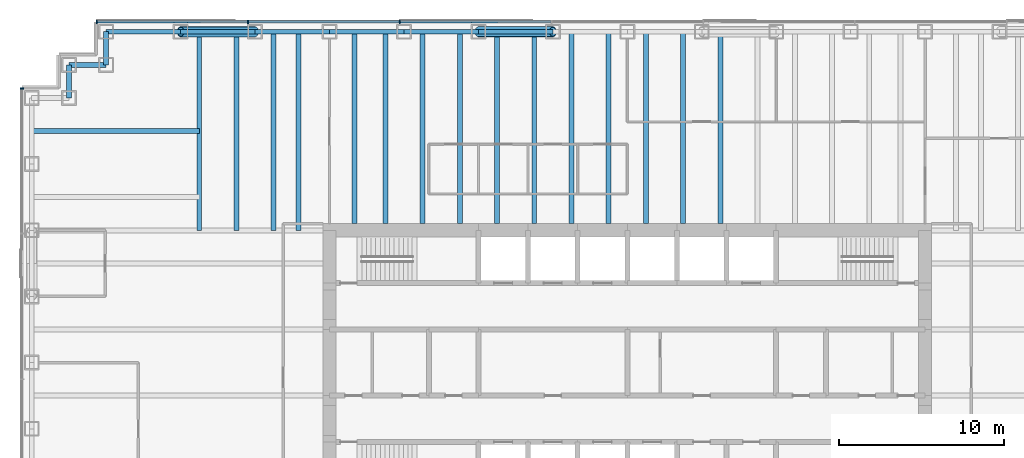
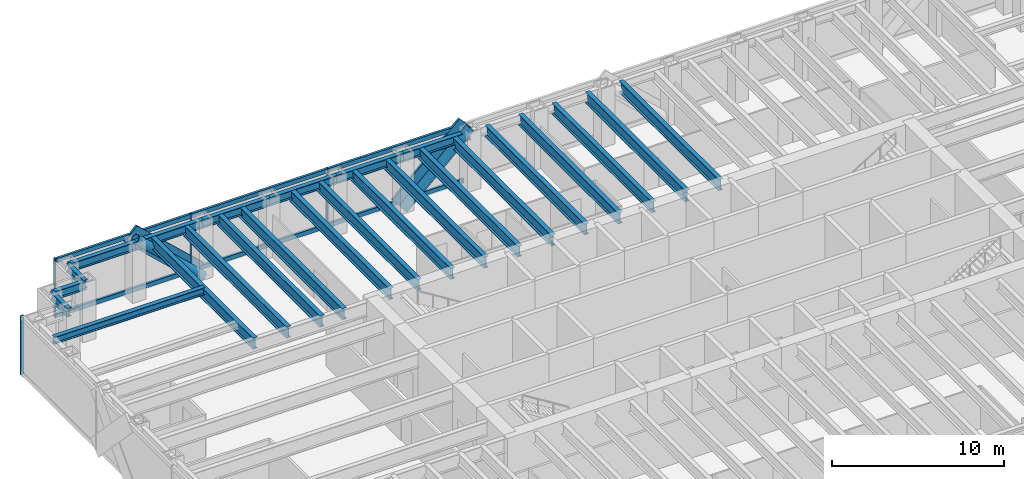
# One storey, part 6 of 19: 25 beams, 14 members, 2 elements without a shape of their own.
"""IFC4 building model written with IfcOpenShell, lengths in metres."""

from ifc_helpers import new_model, si_unit, direction, frame, origin, origin_2d, place, context, subcontext, project, spatial, rectangle, hollow_circle, i_section, extrude, material, material_profile, profile_set, type_object, element, aggregate, save


model = new_model("IFC4")

# Units and contexts
model_context = context("Model", 3, precision=1e-05, world=origin(), true_north=direction((0.0, 1.0)))
body_context = subcontext(model_context, "Body", "Model", "MODEL_VIEW")
ifc_project = project(units=[si_unit("LENGTHUNIT", "METRE"), si_unit("AREAUNIT", "SQUARE_METRE"), si_unit("VOLUMEUNIT", "CUBIC_METRE"), si_unit("PLANEANGLEUNIT", "RADIAN"), si_unit("MASSUNIT", "GRAM", prefix="KILO")], contexts=[model_context])

# Site, building, storey
site_placement = place(None, origin())
site = spatial("IfcSite", under=ifc_project, at=site_placement, CompositionType="ELEMENT")
building_placement = place(site_placement, origin())
building = spatial("IfcBuilding", under=site, at=building_placement, Name="Rheinbord Bourse Tower", CompositionType="ELEMENT")
storey_placement = place(building_placement, frame((0.0, 0.0, 206.800048828125)))
storey = spatial("IfcBuildingStorey", under=building, at=storey_placement, Name="L46", CompositionType="ELEMENT", Elevation=206.800048828125)

# Curtain wall, members
ifc_material_1 = material(Name="Dark glass and black aluminium", Category="aluminium")
curtain_wall_type = type_object("IfcCurtainWallType", Name="CW2 DARK GLASS CURTAIN WALL", PredefinedType="USERDEFINED", material=ifc_material_1)
curtain_wall_1_placement = place(storey_placement, origin())
curtain_wall_1 = element("IfcCurtainWall", 1, at=curtain_wall_1_placement, inside=storey, type_object=curtain_wall_type, Name="Curtain wall CW2 N L46", ObjectType="UNITISED CURTAIN WALL", PredefinedType="USERDEFINED")
ifc_material_2 = material(Name="Black anodised aluminium", Category="aluminium")
ifc_material_profile_1 = material_profile(ifc_material_2, rectangle(XDim=0.159912109375, YDim=1.2099609375, at=origin_2d()), Name="CW2 DIAGONAL MULLION 1210x160")
ifc_profile_set_1 = profile_set([ifc_material_profile_1], Name="Black anodised aluminium")
member_type_1 = type_object("IfcMemberType", Name="CW2 BLACK DIAGONAL MULLION", PredefinedType="USERDEFINED", material=ifc_profile_set_1)
member_1_placement = place(storey_placement, frame((27.0, 44.60009765625, 0.0), z_axis=(0.73105922506, 0.0, 0.682314010889), x_axis=(0.0, 1.0, 0.0)))
member_1 = element("IfcMember", 2, at=member_1_placement, type_object=member_type_1, Name="CW2 diagonal mullion b", ObjectType="DIAGONAL MULLION", PredefinedType="USERDEFINED", context=body_context, shape_type="SweptSolid", body=[
    extrude(rectangle(XDim=0.159912109375, YDim=1.2099609375, at=origin_2d()), origin(), (0.0, 0.0, 1.0), 6.155517578125),
])
member_2_placement = place(storey_placement, frame((13.5, 44.60009765625, 0.0), z_axis=(-0.73105922506, 0.0, 0.682314010889), x_axis=(0.0, -1.0, 0.0)))
member_2 = element("IfcMember", 3, at=member_2_placement, type_object=member_type_1, Name="CW2 diagonal mullion c", ObjectType="DIAGONAL MULLION", PredefinedType="USERDEFINED", context=body_context, shape_type="SweptSolid", body=[
    extrude(rectangle(XDim=0.159912109375, YDim=1.2099609375, at=origin_2d()), origin(), (0.0, 0.0, 1.0), 6.155517578125),
])
ifc_material_3 = material(Name="Black anodised aluminium", Category="aluminium")
ifc_material_profile_2 = material_profile(ifc_material_3, rectangle(XDim=0.219970703125, YDim=0.070068359375, at=origin_2d()), Name="CW2 MULLION 70x220")
ifc_profile_set_2 = profile_set([ifc_material_profile_2], Name="Black anodised aluminium")
member_type_2 = type_object("IfcMemberType", Name="CW2 BLACK MULLION", PredefinedType="MULLION", material=ifc_profile_set_2)
member_3_placement = place(storey_placement, frame((22.242919921875, 44.60009765625, 0.0), z_axis=(0.0, 0.0, 1.0), x_axis=(0.0, -1.0, 0.0)))
member_3 = element("IfcMember", 4, at=member_3_placement, type_object=member_type_2, Name="CW2 mullion 6", PredefinedType="MULLION", context=body_context, shape_type="SweptSolid", body=[
    extrude(rectangle(XDim=0.219970703125, YDim=0.070068359375, at=origin_2d()), origin(), (0.0, 0.0, 1.0), 4.199951171875),
])
member_4_placement = place(storey_placement, frame((13.071533203125, 44.60009765625, 0.0), z_axis=(0.0, 0.0, 1.0), x_axis=(0.0, -1.0, 0.0)))
member_4 = element("IfcMember", 5, at=member_4_placement, type_object=member_type_2, Name="CW2 mullion 7", PredefinedType="MULLION", context=body_context, shape_type="SweptSolid", body=[
    extrude(rectangle(XDim=0.219970703125, YDim=0.070068359375, at=origin_2d()), origin(), (0.0, 0.0, 1.0), 4.199951171875),
])
member_5_placement = place(storey_placement, frame((3.93505859375, 44.60009765625, 0.0), z_axis=(0.0, 0.0, 1.0), x_axis=(0.0, -1.0, 0.0)))
member_5 = element("IfcMember", 6, at=member_5_placement, type_object=member_type_2, Name="CW2 mullion 8", PredefinedType="MULLION", context=body_context, shape_type="SweptSolid", body=[
    extrude(rectangle(XDim=0.219970703125, YDim=0.070068359375, at=origin_2d()), origin(), (0.0, 0.0, 1.0), 4.199951171875),
])

# Curtain wall, member
curtain_wall_2_placement = place(storey_placement, origin())
curtain_wall_2 = element("IfcCurtainWall", 7, at=curtain_wall_2_placement, inside=storey, type_object=curtain_wall_type, Name="Curtain wall CW2 W L46", ObjectType="UNITISED CURTAIN WALL", PredefinedType="USERDEFINED")
member_6_placement = place(storey_placement, frame((-0.60009765625, 40.56494140625, 0.0), z_axis=(0.0, 0.0, 1.0), x_axis=(1.0, 0.0, 0.0)))
member_6 = element("IfcMember", 8, at=member_6_placement, type_object=member_type_2, Name="CW2 mullion 1", PredefinedType="MULLION", context=body_context, shape_type="SweptSolid", body=[
    extrude(rectangle(XDim=0.219970703125, YDim=0.070068359375, at=origin_2d()), origin(), (0.0, 0.0, 1.0), 4.199951171875),
])
aggregate(curtain_wall_2, [member_6])

# Member
ifc_material_4 = material(Name="Black anodised aluminium", Category="aluminium")
ifc_material_profile_3 = material_profile(ifc_material_4, rectangle(XDim=0.159912109375, YDim=0.300048828125, at=origin_2d()), Name="CW2 TRANSOM 300x160")
ifc_profile_set_3 = profile_set([ifc_material_profile_3], Name="Black anodised aluminium")
member_type_3 = type_object("IfcMemberType", Name="CW2 BLACK TRANSOM", PredefinedType="USERDEFINED", material=ifc_profile_set_3)
member_7_placement = place(storey_placement, frame((31.37939453125, 44.60009765625, 0.14990234375), z_axis=(-1.0, 0.0, 0.0), x_axis=(0.0, -1.0, 0.0)))
member_7 = element("IfcMember", 9, at=member_7_placement, type_object=member_type_3, Name="CW2 transom 5.1", ObjectType="TRANSOM", PredefinedType="USERDEFINED", context=body_context, shape_type="SweptSolid", body=[
    extrude(rectangle(XDim=0.159912109375, YDim=0.300048828125, at=origin_2d()), origin(), (0.0, 0.0, 1.0), 9.1015625),
])

member_8_placement = place(storey_placement, frame((31.37939453125, 44.60009765625, 4.050048828125), z_axis=(-1.0, 0.0, 0.0), x_axis=(0.0, -1.0, 0.0)))
member_8 = element("IfcMember", 10, at=member_8_placement, type_object=member_type_3, Name="CW2 transom 5.2", ObjectType="TRANSOM", PredefinedType="USERDEFINED", context=body_context, shape_type="SweptSolid", body=[
    extrude(rectangle(XDim=0.159912109375, YDim=0.300048828125, at=origin_2d()), origin(), (0.0, 0.0, 1.0), 9.1015625),
])

member_9_placement = place(storey_placement, frame((22.207763671875, 44.60009765625, 0.14990234375), z_axis=(-1.0, 0.0, 0.0), x_axis=(0.0, -1.0, 0.0)))
member_9 = element("IfcMember", 11, at=member_9_placement, type_object=member_type_3, Name="CW2 transom 6.1", ObjectType="TRANSOM", PredefinedType="USERDEFINED", context=body_context, shape_type="SweptSolid", body=[
    extrude(rectangle(XDim=0.159912109375, YDim=0.300048828125, at=origin_2d()), origin(), (0.0, 0.0, 1.0), 9.101318359375),
])

member_10_placement = place(storey_placement, frame((22.207763671875, 44.60009765625, 4.050048828125), z_axis=(-1.0, 0.0, 0.0), x_axis=(0.0, -1.0, 0.0)))
member_10 = element("IfcMember", 12, at=member_10_placement, type_object=member_type_3, Name="CW2 transom 6.2", ObjectType="TRANSOM", PredefinedType="USERDEFINED", context=body_context, shape_type="SweptSolid", body=[
    extrude(rectangle(XDim=0.159912109375, YDim=0.300048828125, at=origin_2d()), origin(), (0.0, 0.0, 1.0), 9.101318359375),
])

member_11_placement = place(storey_placement, frame((13.036376953125, 44.60009765625, 0.14990234375), z_axis=(-1.0, 0.0, 0.0), x_axis=(0.0, -1.0, 0.0)))
member_11 = element("IfcMember", 13, at=member_11_placement, type_object=member_type_3, Name="CW2 transom 7.1", ObjectType="TRANSOM", PredefinedType="USERDEFINED", context=body_context, shape_type="SweptSolid", body=[
    extrude(rectangle(XDim=0.159912109375, YDim=0.300048828125, at=origin_2d()), origin(), (0.0, 0.0, 1.0), 9.06640625),
])

member_12_placement = place(storey_placement, frame((13.036376953125, 44.60009765625, 4.050048828125), z_axis=(-1.0, 0.0, 0.0), x_axis=(0.0, -1.0, 0.0)))
member_12 = element("IfcMember", 14, at=member_12_placement, type_object=member_type_3, Name="CW2 transom 7.2", ObjectType="TRANSOM", PredefinedType="USERDEFINED", context=body_context, shape_type="SweptSolid", body=[
    extrude(rectangle(XDim=0.159912109375, YDim=0.300048828125, at=origin_2d()), origin(), (0.0, 0.0, 1.0), 9.06640625),
])

aggregate(curtain_wall_1, [member_3, member_4, member_5, member_7, member_8, member_9, member_10, member_11, member_12, member_1, member_2])

# Beams
ifc_material_5 = material(Name="Steel S460", Category="steel")
ifc_material_profile_4 = material_profile(ifc_material_5, i_section(OverallWidth=0.300048828125, OverallDepth=0.800048828125, WebThickness=0.017578125, FlangeThickness=0.032958984375, at=origin_2d()), Name="HEB 800")
ifc_profile_set_4 = profile_set([ifc_material_profile_4], Name="Steel S460")
beam_type_1 = type_object("IfcBeamType", Name="FLOOR BEAM HEB 800", PredefinedType="BEAM", material=ifc_profile_set_4)
for number, where, z_axis, x_axis, name in (
    (15, (10.125, 44.0, 3.639892578125), (0.0, -1.0, 0.0), (1.0, 0.0, 0.0), "Floor beam N-9a L47"),
    (16, (12.375, 44.0, 3.639892578125), (0.0, -1.0, 0.0), (1.0, 0.0, 0.0), "Floor beam N-9b L47"),
    (17, (14.625, 44.0, 3.639892578125), (0.0, -1.0, 0.0), (1.0, 0.0, 0.0), "Floor beam N-13.5a L47"),
    (18, (16.125, 44.0, 3.639892578125), (0.0, -1.0, 0.0), (1.0, 0.0, 0.0), "Floor beam N-13.5b L47"),
):
    element("IfcBeam", number, at=place(storey_placement, frame(where, z_axis=z_axis, x_axis=x_axis)), inside=storey, type_object=beam_type_1, Name=name, PredefinedType="BEAM", context=body_context, shape_type="SweptSolid", body=[
        extrude(i_section(OverallWidth=0.300048828125, OverallDepth=0.800048828125, WebThickness=0.017578125, FlangeThickness=0.032958984375, at=origin_2d()), origin(), (0.0, 0.0, 1.0), 12.0),
    ])
for number, where, z_axis, x_axis, name in (
    (19, (19.5, 44.0, 3.639892578125), (0.0, -1.0, 0.0), (1.0, 0.0, 0.0), "Floor beam N-18a L47"),
    (20, (21.375, 44.0, 3.639892578125), (0.0, -1.0, 0.0), (1.0, 0.0, 0.0), "Floor beam N-18b L47"),
    (21, (23.625, 44.0, 3.639892578125), (0.0, -1.0, 0.0), (1.0, 0.0, 0.0), "Floor beam N-22.5a L47"),
    (22, (25.875, 44.0, 3.639892578125), (0.0, -1.0, 0.0), (1.0, 0.0, 0.0), "Floor beam N-22.5b L47"),
    (23, (28.125, 44.0, 3.639892578125), (0.0, -1.0, 0.0), (1.0, 0.0, 0.0), "Floor beam N-27a L47"),
    (24, (30.375, 44.0, 3.639892578125), (0.0, -1.0, 0.0), (1.0, 0.0, 0.0), "Floor beam N-27b L47"),
    (25, (32.625, 44.0, 3.639892578125), (0.0, -1.0, 0.0), (1.0, 0.0, 0.0), "Floor beam N-31.5a L47"),
    (26, (34.875, 44.0, 3.639892578125), (0.0, -1.0, 0.0), (1.0, 0.0, 0.0), "Floor beam N-31.5b L47"),
    (27, (37.125, 44.0, 3.639892578125), (0.0, -1.0, 0.0), (1.0, 0.0, 0.0), "Floor beam N-36a L47"),
    (28, (39.375, 44.0, 3.639892578125), (0.0, -1.0, 0.0), (1.0, 0.0, 0.0), "Floor beam N-36b L47"),
    (29, (41.625, 44.0, 3.639892578125), (0.0, -1.0, 0.0), (1.0, 0.0, 0.0), "Floor beam N-40.5a L47"),
):
    element("IfcBeam", number, at=place(storey_placement, frame(where, z_axis=z_axis, x_axis=x_axis)), inside=storey, type_object=beam_type_1, Name=name, PredefinedType="BEAM", context=body_context, shape_type="SweptSolid", body=[
        extrude(i_section(OverallWidth=0.300048828125, OverallDepth=0.800048828125, WebThickness=0.017578125, FlangeThickness=0.032958984375, at=origin_2d()), origin(), (0.0, 0.0, 1.0), 11.60009765625),
    ])

# Members
ifc_material_6 = material(Name="Steel S460", Category="steel")
ifc_material_profile_5 = material_profile(ifc_material_6, hollow_circle(Radius=0.304931640625, WallThickness=0.0400390625, at=origin_2d()), Name="CHS 610x40")
ifc_profile_set_5 = profile_set([ifc_material_profile_5], Name="Steel S460")
member_type_4 = type_object("IfcMemberType", Name="MEGABRACE CHS 610x40", PredefinedType="BRACE", material=ifc_profile_set_5)
for number, where, z_axis, x_axis, name in (
    (30, (27.0, 44.0, 0.0), (0.73105922506, 0.0, 0.682314010889), (0.0, 1.0, 0.0), "Megabrace N face line b L46"),
    (31, (13.5, 44.0, 0.0), (-0.73105922506, 0.0, 0.682314010889), (0.0, -1.0, 0.0), "Megabrace N face line c L46"),
):
    element("IfcMember", number, at=place(storey_placement, frame(where, z_axis=z_axis, x_axis=x_axis)), inside=storey, type_object=member_type_4, Name=name, PredefinedType="BRACE", context=body_context, shape_type="SweptSolid", body=[
        extrude(hollow_circle(Radius=0.304931640625, WallThickness=0.0400390625, at=origin_2d()), origin(), (0.0, 0.0, 1.0), 6.155517578125),
    ])

# Beams
ifc_material_7 = material(Name="Steel S460", Category="steel")
ifc_material_profile_6 = material_profile(ifc_material_7, i_section(OverallWidth=0.300048828125, OverallDepth=0.60009765625, WebThickness=0.015380859375, FlangeThickness=0.030029296875, at=origin_2d()), Name="HEB 600")
ifc_profile_set_6 = profile_set([ifc_material_profile_6], Name="Steel S460")
beam_type_2 = type_object("IfcBeamType", Name="SPANDREL HEB 600", PredefinedType="SPANDREL", material=ifc_profile_set_6)
for number, where, z_axis, x_axis, name in (
    (32, (31.5, 44.0, 3.739990234375), (-1.0, 0.0, 0.0), (0.0, -1.0, 0.0), "Spandrel N-31.5-N-27 under L47"),
    (33, (27.0, 44.0, 3.739990234375), (-1.0, 0.0, 0.0), (0.0, -1.0, 0.0), "Spandrel N-27-N-22.5 under L47"),
    (34, (22.5, 44.0, 3.739990234375), (-1.0, 0.0, 0.0), (0.0, -1.0, 0.0), "Spandrel N-22.5-N-18 under L47"),
    (35, (18.0, 44.0, 3.739990234375), (-1.0, 0.0, 0.0), (0.0, -1.0, 0.0), "Spandrel N-18-N-13.5 under L47"),
    (36, (13.5, 44.0, 3.739990234375), (-1.0, 0.0, 0.0), (0.0, -1.0, 0.0), "Spandrel N-13.5-N-9 under L47"),
    (37, (9.0, 44.0, 3.739990234375), (-1.0, 0.0, 0.0), (0.0, -1.0, 0.0), "Spandrel N-9-NW-E under L47"),
):
    element("IfcBeam", number, at=place(storey_placement, frame(where, z_axis=z_axis, x_axis=x_axis)), inside=storey, type_object=beam_type_2, Name=name, PredefinedType="SPANDREL", context=body_context, shape_type="SweptSolid", body=[
        extrude(i_section(OverallWidth=0.300048828125, OverallDepth=0.60009765625, WebThickness=0.015380859375, FlangeThickness=0.030029296875, at=origin_2d()), origin(), (0.0, 0.0, 1.0), 4.5),
    ])
beam_1_placement = place(storey_placement, frame((4.5, 44.0, 3.739990234375), z_axis=(0.0, -1.0, 0.0), x_axis=(1.0, 0.0, 0.0)))
element("IfcBeam", 38, at=beam_1_placement, inside=storey, type_object=beam_type_2, Name="Spandrel NW-E-NW-D under L47", PredefinedType="SPANDREL", context=body_context, shape_type="SweptSolid", body=[
    extrude(i_section(OverallWidth=0.300048828125, OverallDepth=0.60009765625, WebThickness=0.015380859375, FlangeThickness=0.030029296875, at=origin_2d()), origin(), (0.0, 0.0, 1.0), 2.0),
])
beam_2_placement = place(storey_placement, frame((4.5, 42.0, 3.739990234375), z_axis=(-1.0, 0.0, 0.0), x_axis=(0.0, -1.0, 0.0)))
element("IfcBeam", 39, at=beam_2_placement, inside=storey, type_object=beam_type_2, Name="Spandrel NW-D-NW-C under L47", PredefinedType="SPANDREL", context=body_context, shape_type="SweptSolid", body=[
    extrude(i_section(OverallWidth=0.300048828125, OverallDepth=0.60009765625, WebThickness=0.015380859375, FlangeThickness=0.030029296875, at=origin_2d()), origin(), (0.0, 0.0, 1.0), 2.25),
])
beam_3_placement = place(storey_placement, frame((2.25, 42.0, 3.739990234375), z_axis=(0.0, -1.0, 0.0), x_axis=(1.0, 0.0, 0.0)))
element("IfcBeam", 40, at=beam_3_placement, inside=storey, type_object=beam_type_2, Name="Spandrel NW-C-NW-B under L47", PredefinedType="SPANDREL", context=body_context, shape_type="SweptSolid", body=[
    extrude(i_section(OverallWidth=0.300048828125, OverallDepth=0.60009765625, WebThickness=0.015380859375, FlangeThickness=0.030029296875, at=origin_2d()), origin(), (0.0, 0.0, 1.0), 2.0),
])
ifc_material_8 = material(Name="Steel S460", Category="steel")
ifc_material_profile_7 = material_profile(ifc_material_8, i_section(OverallWidth=0.300048828125, OverallDepth=0.5, WebThickness=0.014404296875, FlangeThickness=0.028076171875, at=origin_2d()), Name="HEB 500")
ifc_profile_set_7 = profile_set([ifc_material_profile_7], Name="Steel S460")
beam_type_3 = type_object("IfcBeamType", Name="TIE BEAM HEB 500", PredefinedType="JOIST", material=ifc_profile_set_7)
beam_4_placement = place(storey_placement, frame((0.0, 38.0, 3.7900390625), z_axis=(1.0, 0.0, 0.0), x_axis=(0.0, 1.0, 0.0)))
element("IfcBeam", 41, at=beam_4_placement, inside=storey, type_object=beam_type_3, Name="Tie west 38 L47", PredefinedType="JOIST", context=body_context, shape_type="SweptSolid", body=[
    extrude(i_section(OverallWidth=0.300048828125, OverallDepth=0.5, WebThickness=0.014404296875, FlangeThickness=0.028076171875, at=origin_2d()), origin(), (0.0, 0.0, 1.0), 10.125),
])

save(model, "model.ifc")
